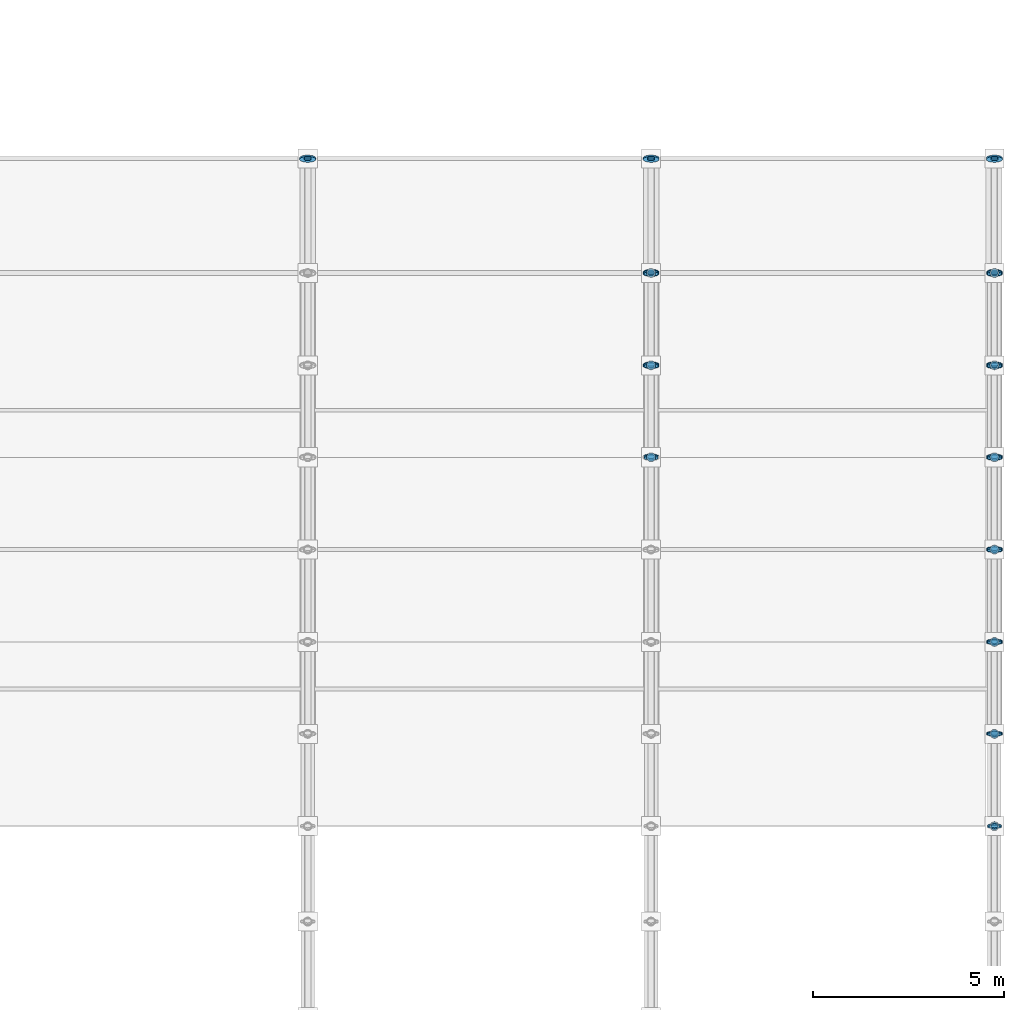
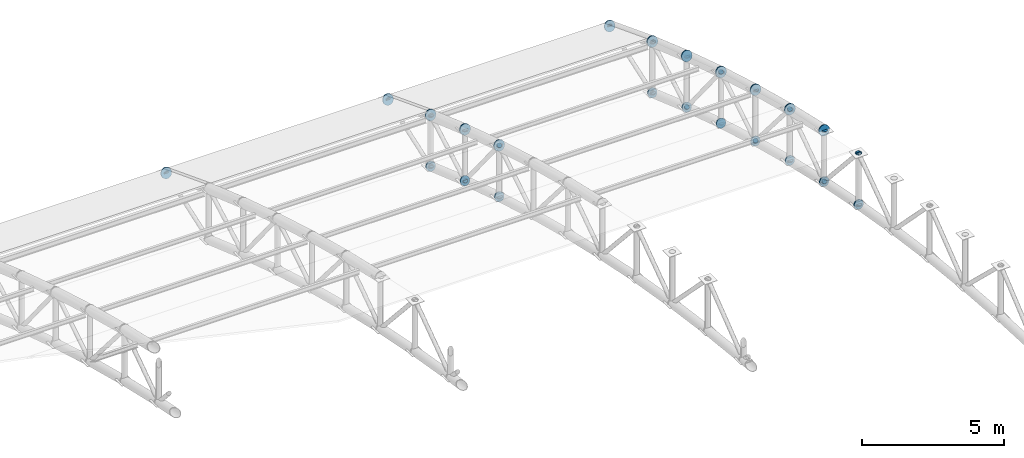
# One storey, part 165 of 195: 80 discrete accessories.
"""IFC4 building model written with IfcOpenShell, lengths in metres."""

import ifcopenshell
import ifcopenshell.guid

model = None  # the IFC model being written
_history = None  # IfcOwnerHistory: only IFC2X3 demands one
_inside = {}  # id of a spatial element -> (the spatial element, [elements in it])
_under = {}  # id of a project, library or spatial element -> (it, [spatial elements below it])
_declared = {}  # id of a project -> (the project, [libraries it declares])
_typed = {}  # id of a type object -> (the type object, [elements of that type])
_made_of = {}  # id of a material, layer set ... -> (it, [elements and type objects made of it])


def new_model(schema):
    """Start an empty IFC model of exactly this schema.

    Asked for "IFC4X3", IfcOpenShell would pick the latest addendum, in which some entities
    have other attributes; the version numbers below select the first issue.
    IFC2X3 requires an IfcOwnerHistory on every rooted entity: one is made here for all.
    """
    global model, _history
    if schema == "IFC4X3":
        model = ifcopenshell.file(schema_version=(4, 3, 0, 0))
    else:
        model = ifcopenshell.file(schema=schema)
    _inside.clear()
    _under.clear()
    _declared.clear()
    _typed.clear()
    _made_of.clear()
    _history = None
    if model.schema == "IFC2X3":
        org = make("IfcOrganization", Name="unknown")
        user = make(
            "IfcPersonAndOrganization",
            ThePerson=make("IfcPerson", FamilyName="unknown"),
            TheOrganization=org,
        )
        app = make(
            "IfcApplication",
            ApplicationDeveloper=org,
            Version="unknown",
            ApplicationFullName="unknown",
            ApplicationIdentifier="unknown",
        )
        _history = make(
            "IfcOwnerHistory",
            OwningUser=user,
            OwningApplication=app,
            ChangeAction="ADDED",
            CreationDate=0,
        )
    return model


def make(cls, **values):
    """One entity of the class cls with the attributes given. An attribute that is None is left unset."""
    return model.create_entity(
        cls, **{name: value for name, value in values.items() if value is not None}
    )


def rooted(cls, **values):
    """An entity with a GlobalId (a new one), such as an element, a storey or a relation."""
    return make(cls, GlobalId=ifcopenshell.guid.new(), OwnerHistory=_history, **values)


def si_unit(unit_type, name, prefix=None):
    """IfcSIUnit, for example si_unit("LENGTHUNIT", "METRE", prefix="MILLI")."""
    return make("IfcSIUnit", UnitType=unit_type, Prefix=prefix, Name=name)


def assignment(units):
    """IfcUnitAssignment: the units of a project."""
    return None if units is None else make("IfcUnitAssignment", Units=units)


def point(xyz):
    """IfcCartesianPoint."""
    return None if xyz is None else make("IfcCartesianPoint", Coordinates=xyz)


def direction(xyz):
    """IfcDirection."""
    return None if xyz is None else make("IfcDirection", DirectionRatios=xyz)


def frame(location, z_axis=None, x_axis=None):
    """IfcAxis2Placement3D, a coordinate frame: its origin and axes. An axis left out is left unset."""
    return make(
        "IfcAxis2Placement3D",
        Location=point(location),
        Axis=direction(z_axis),
        RefDirection=direction(x_axis),
    )


def frame_2d(location, x_axis=None):
    """IfcAxis2Placement2D, a coordinate frame in the plane: its origin and x axis."""
    return make(
        "IfcAxis2Placement2D", Location=point(location), RefDirection=direction(x_axis)
    )


def origin():
    """The frame at (0, 0, 0) with its axes left unset."""
    return frame((0.0, 0.0, 0.0))


def origin_2d():
    """The frame at (0, 0) in the plane with its x axis left unset."""
    return frame_2d((0.0, 0.0))


def place(relative_to, where):
    """IfcLocalPlacement: puts the frame where relative to a parent placement (None: the world)."""
    return make(
        "IfcLocalPlacement", PlacementRelTo=relative_to, RelativePlacement=where
    )


def context(
    kind, dimensions, precision=None, world=None, true_north=None, identifier=None
):
    """IfcGeometricRepresentationContext, for example the 3D "Model" context."""
    return make(
        "IfcGeometricRepresentationContext",
        ContextIdentifier=identifier,
        ContextType=kind,
        CoordinateSpaceDimension=dimensions,
        Precision=precision,
        WorldCoordinateSystem=world,
        TrueNorth=true_north,
    )


def subcontext(parent, identifier, kind, view, scale=None):
    """IfcGeometricRepresentationSubContext, for example "Body" below "Model"."""
    return make(
        "IfcGeometricRepresentationSubContext",
        ContextIdentifier=identifier,
        ContextType=kind,
        ParentContext=parent,
        TargetScale=scale,
        TargetView=view,
    )


def project(units=None, contexts=None):
    """IfcProject with its units and contexts."""
    return rooted(
        "IfcProject",
        Name="project",
        RepresentationContexts=contexts,
        UnitsInContext=assignment(units),
    )


def spatial(cls, under=None, at=None, **own):
    """A site, building, storey or space (cls), placed at a placement, below another one or the project."""
    s = rooted(cls, ObjectPlacement=at, **own)
    if under is not None:
        _under.setdefault(under.id(), (under, []))[1].append(s)
    return s


def profile(cls, at=None, kind="AREA", **sizes):
    """A parametric profile (cls). Its sizes go by their IFC names, for example OverallWidth=200.0."""
    return make(cls, ProfileType=kind, Position=at, **sizes)


def circle(**sizes):
    """IfcCircleProfileDef."""
    return profile("IfcCircleProfileDef", **sizes)


def extrude(swept, where, along, depth):
    """IfcExtrudedAreaSolid: the profile swept, set in the frame where, extruded along a direction by depth."""
    return make(
        "IfcExtrudedAreaSolid",
        SweptArea=swept,
        Position=where,
        ExtrudedDirection=direction(along),
        Depth=depth,
    )


def shape(context_of_items, identifier, shape_type, items):
    """IfcShapeRepresentation: the items that make up one representation, for example the "Body"."""
    return make(
        "IfcShapeRepresentation",
        ContextOfItems=context_of_items,
        RepresentationIdentifier=identifier,
        RepresentationType=shape_type,
        Items=items,
    )


def material(Name=None, Category=None):
    """IfcMaterial."""
    return make("IfcMaterial", Name=Name, Category=Category)


def made_of(thing, what):
    """Note that an element or type object is made of a material, layer set ...; save() writes the relation."""
    if what is not None:
        _made_of.setdefault(what.id(), (what, []))[1].append(thing)
    return thing


def element(
    cls,
    number,
    at=None,
    inside=None,
    cuts=None,
    type_object=None,
    material=None,
    context=None,
    identifier="Body",
    shape_type=None,
    held_by="IfcProductDefinitionShape",
    body=None,
    shapes=None,
    **own,
):
    """One element of the class cls, such as IfcWall. Its Tag is "e" and its number.

    at: its placement. inside: the storey or other place that contains it. cuts: it is an
    opening in that element (IfcRelVoidsElement). A single representation is given by context,
    identifier, shape_type and body (its items); several are given by shapes. held_by: the class
    of the entity that holds the representations. save() writes the other relations.
    """
    e = rooted(cls, Tag="e%d" % number, ObjectPlacement=at, **own)
    if body is not None:
        shapes = [shape(context, identifier, shape_type, body)]
    if shapes is not None:
        e.Representation = make(held_by, Representations=shapes)
    if inside is not None:
        _inside.setdefault(inside.id(), (inside, []))[1].append(e)
    if cuts is not None:
        rooted(
            "IfcRelVoidsElement", RelatingBuildingElement=cuts, RelatedOpeningElement=e
        )
    if type_object is not None:
        _typed.setdefault(type_object.id(), (type_object, []))[1].append(e)
    return made_of(e, material)


def aggregate(whole, parts):
    """IfcRelAggregates: a whole, such as a stair, and the parts it consists of."""
    return rooted("IfcRelAggregates", RelatingObject=whole, RelatedObjects=parts)


def save(model, path):
    """Write the relations noted so far, then the file.

    IfcRelAggregates (storeys below a building ...), IfcRelContainedInSpatialStructure (elements
    in a storey), IfcRelDefinesByType, IfcRelAssociatesMaterial and IfcRelDeclares: one each for
    every whole, place, type object, material and project.
    """
    for whole, parts in _under.values():
        aggregate(whole, parts)
    for where, things in _inside.values():
        rooted(
            "IfcRelContainedInSpatialStructure",
            RelatedElements=things,
            RelatingStructure=where,
        )
    for kind, things in _typed.values():
        rooted("IfcRelDefinesByType", RelatedObjects=things, RelatingType=kind)
    for what, things in _made_of.values():
        rooted("IfcRelAssociatesMaterial", RelatedObjects=things, RelatingMaterial=what)
    for by, libraries in _declared.values():
        rooted("IfcRelDeclares", RelatingContext=by, RelatedDefinitions=libraries)
    model.write(path)


model = new_model("IFC4")

# Units and contexts
model_context = context("Model", 3, precision=1e-05, world=origin(), true_north=direction((0.0, 1.0)))
body_context = subcontext(model_context, "Body", "Model", "MODEL_VIEW")
ifc_project = project(units=[si_unit("LENGTHUNIT", "METRE"), si_unit("AREAUNIT", "SQUARE_METRE"), si_unit("VOLUMEUNIT", "CUBIC_METRE"), si_unit("PLANEANGLEUNIT", "RADIAN"), si_unit("MASSUNIT", "GRAM", prefix="KILO")], contexts=[model_context])

# Site, building, storey
site_placement = place(None, origin())
site = spatial("IfcSite", under=ifc_project, at=site_placement, CompositionType="ELEMENT")
building_placement = place(site_placement, origin())
building = spatial("IfcBuilding", under=site, at=building_placement, Name="Marlcrest Central Station", CompositionType="ELEMENT")
storey_placement = place(building_placement, frame((0.0, 0.0, 9.800048828125)))
storey = spatial("IfcBuildingStorey", under=building, at=storey_placement, Name="L02", CompositionType="ELEMENT", Elevation=9.800048828125)

# Discrete accessories
ifc_material = material(Name="Steel S355", Category="steel")
discrete_accessory_1_placement = place(storey_placement, frame((198.0, 98.4765625, 0.454833984375), z_axis=(0.0, 0.933324071143, -0.359035065453), x_axis=(-1.0, 0.0, 0.0)))
element("IfcDiscreteAccessory", 1, at=discrete_accessory_1_placement, inside=storey, material=ifc_material, Name="endcap-mem-AC-01-L02-01884-e", ObjectType="END_CAP_PLATE", PredefinedType="BRACKET", context=body_context, shape_type="SweptSolid", body=[
    extrude(circle(Radius=0.211181640625, at=origin_2d()), origin(), (0.0, 0.0, 1.0), 0.0400390625),
])
discrete_accessory_2_placement = place(storey_placement, frame((198.0, 98.476318359375, 0.4375), z_axis=(0.0, 0.944260188635, 0.329200085296), x_axis=(-1.0, 0.0, 0.0)))
element("IfcDiscreteAccessory", 2, at=discrete_accessory_2_placement, inside=storey, material=ifc_material, Name="endcap-mem-AD-01-L02-01886-e", ObjectType="END_CAP_PLATE", PredefinedType="BRACKET", context=body_context, shape_type="SweptSolid", body=[
    extrude(circle(Radius=0.092041015625, at=origin_2d()), origin(), (0.0, 0.0, 1.0), 0.0400390625),
])
discrete_accessory_3_placement = place(storey_placement, frame((207.0, 90.64599609375, 1.030517578125), z_axis=(0.0, 0.960130083362, -0.27955361386), x_axis=(-1.0, 0.0, 0.0)))
element("IfcDiscreteAccessory", 3, at=discrete_accessory_3_placement, inside=storey, material=ifc_material, Name="endcap-mem-AC-02-L02-01989-e", ObjectType="END_CAP_PLATE", PredefinedType="BRACKET", context=body_context, shape_type="SweptSolid", body=[
    extrude(circle(Radius=0.185791015625, at=origin_2d()), origin(), (0.0, 0.0, 1.0), 0.0400390625),
])
discrete_accessory_4_placement = place(storey_placement, frame((207.0, 90.648681640625, 3.210205078125), z_axis=(0.0, 0.850687380038, 0.525671933286), x_axis=(-1.0, 0.0, 0.0)))
element("IfcDiscreteAccessory", 4, at=discrete_accessory_4_placement, inside=storey, material=ifc_material, Name="endcap-mem-AD-01-L02-01991-e", ObjectType="END_CAP_PLATE", PredefinedType="BRACKET", context=body_context, shape_type="SweptSolid", body=[
    extrude(circle(Radius=0.092041015625, at=origin_2d()), origin(), (0.0, 0.0, 1.0), 0.0400390625),
])
for number, where, z_axis, x_axis, name in (
    (5, (207.0, 90.65576171875, 3.22802734375), (0.0, 0.952116828449, -0.305734435391), (-1.0, 0.0, 0.0), "endcap-mem-AC-01-L02-01992-s"),
    (6, (207.0, 93.056396484375, 2.45703125), (0.0, 0.952116828449, -0.305734435391), (-1.0, 0.0, 0.0), "endcap-mem-AC-01-L02-01992-e"),
):
    element("IfcDiscreteAccessory", number, at=place(storey_placement, frame(where, z_axis=z_axis, x_axis=x_axis)), inside=storey, material=ifc_material, Name=name, ObjectType="END_CAP_PLATE", PredefinedType="BRACKET", context=body_context, shape_type="SweptSolid", body=[
        extrude(circle(Radius=0.211181640625, at=origin_2d()), origin(), (0.0, 0.0, 1.0), 0.0400390625),
    ])
for number, where, z_axis, x_axis, name in (
    (7, (207.0, 90.65576171875, 1.028076171875), (0.0, 0.952116828449, -0.305734435391), (-1.0, 0.0, 0.0), "endcap-mem-AC-02-L02-01993-s"),
    (8, (207.0, 93.056396484375, 0.257080078125), (0.0, 0.952116828449, -0.305734435391), (-1.0, 0.0, 0.0), "endcap-mem-AC-02-L02-01993-e"),
):
    element("IfcDiscreteAccessory", number, at=place(storey_placement, frame(where, z_axis=z_axis, x_axis=x_axis)), inside=storey, material=ifc_material, Name=name, ObjectType="END_CAP_PLATE", PredefinedType="BRACKET", context=body_context, shape_type="SweptSolid", body=[
        extrude(circle(Radius=0.185791015625, at=origin_2d()), origin(), (0.0, 0.0, 1.0), 0.0400390625),
    ])
for number, where, z_axis, x_axis, name in (
    (9, (207.0, 90.669921875, 1.008544921875), (0.0, 0.0, 1.0), (1.0, 0.0, 0.0), "endcap-mem-AP-01-L02-01994-s"),
    (10, (207.0, 90.669921875, 3.198486328125), (0.0, 0.0, 1.0), (1.0, 0.0, 0.0), "endcap-mem-AP-01-L02-01994-e"),
):
    element("IfcDiscreteAccessory", number, at=place(storey_placement, frame(where, z_axis=z_axis, x_axis=x_axis)), inside=storey, material=ifc_material, Name=name, ObjectType="END_CAP_PLATE", PredefinedType="BRACKET", context=body_context, shape_type="SweptSolid", body=[
        extrude(circle(Radius=0.117431640625, at=origin_2d()), origin(), (0.0, 0.0, 1.0), 0.0400390625),
    ])
for number, where, z_axis, x_axis, name in (
    (11, (207.0, 90.660400390625, 3.235107421875), (0.0, 0.62962929743, -0.776895712318), (-1.0, 0.0, 0.0), "endcap-mem-AD-01-L02-01995-s"),
    (12, (207.0, 93.064453125, 0.26904296875), (0.0, 0.62962929743, -0.776895712318), (-1.0, 0.0, 0.0), "endcap-mem-AD-01-L02-01995-e"),
):
    element("IfcDiscreteAccessory", number, at=place(storey_placement, frame(where, z_axis=z_axis, x_axis=x_axis)), inside=storey, material=ifc_material, Name=name, ObjectType="END_CAP_PLATE", PredefinedType="BRACKET", context=body_context, shape_type="SweptSolid", body=[
        extrude(circle(Radius=0.092041015625, at=origin_2d()), origin(), (0.0, 0.0, 1.0), 0.0400390625),
    ])
for number, where, z_axis, x_axis, name in (
    (13, (207.0, 93.06591796875, 2.454345703125), (0.0, 0.94353735649, -0.331266142109), (-1.0, 0.0, 0.0), "endcap-mem-AC-01-L02-01996-s"),
    (14, (207.0, 95.476318359375, 1.608154296875), (0.0, 0.94353735649, -0.331266142109), (-1.0, 0.0, 0.0), "endcap-mem-AC-01-L02-01996-e"),
):
    element("IfcDiscreteAccessory", number, at=place(storey_placement, frame(where, z_axis=z_axis, x_axis=x_axis)), inside=storey, material=ifc_material, Name=name, ObjectType="END_CAP_PLATE", PredefinedType="BRACKET", context=body_context, shape_type="SweptSolid", body=[
        extrude(circle(Radius=0.211181640625, at=origin_2d()), origin(), (0.0, 0.0, 1.0), 0.0400390625),
    ])
for number, where, z_axis, x_axis, name in (
    (15, (207.0, 93.06591796875, 0.25439453125), (0.0, 0.94353735649, -0.331266142109), (-1.0, 0.0, 0.0), "endcap-mem-AC-02-L02-01997-s"),
    (16, (207.0, 95.476318359375, -0.591796875), (0.0, 0.94353735649, -0.331266142109), (-1.0, 0.0, 0.0), "endcap-mem-AC-02-L02-01997-e"),
):
    element("IfcDiscreteAccessory", number, at=place(storey_placement, frame(where, z_axis=z_axis, x_axis=x_axis)), inside=storey, material=ifc_material, Name=name, ObjectType="END_CAP_PLATE", PredefinedType="BRACKET", context=body_context, shape_type="SweptSolid", body=[
        extrude(circle(Radius=0.185791015625, at=origin_2d()), origin(), (0.0, 0.0, 1.0), 0.0400390625),
    ])
for number, where, z_axis, x_axis, name in (
    (17, (207.0, 93.080078125, 0.234619140625), (0.0, 0.0, 1.0), (1.0, 0.0, 0.0), "endcap-mem-AP-01-L02-01998-s"),
    (18, (207.0, 93.080078125, 2.424560546875), (0.0, 0.0, 1.0), (1.0, 0.0, 0.0), "endcap-mem-AP-01-L02-01998-e"),
):
    element("IfcDiscreteAccessory", number, at=place(storey_placement, frame(where, z_axis=z_axis, x_axis=x_axis)), inside=storey, material=ifc_material, Name=name, ObjectType="END_CAP_PLATE", PredefinedType="BRACKET", context=body_context, shape_type="SweptSolid", body=[
        extrude(circle(Radius=0.117431640625, at=origin_2d()), origin(), (0.0, 0.0, 1.0), 0.0400390625),
    ])
for number, where, z_axis, x_axis, name in (
    (19, (207.0, 93.06689453125, 0.2421875), (0.0, 0.873245653167, 0.487280236851), (-1.0, 0.0, 0.0), "endcap-mem-AD-01-L02-01999-s"),
    (20, (207.0, 95.478271484375, 1.587646484375), (0.0, 0.873245653167, 0.487280236851), (-1.0, 0.0, 0.0), "endcap-mem-AD-01-L02-01999-e"),
):
    element("IfcDiscreteAccessory", number, at=place(storey_placement, frame(where, z_axis=z_axis, x_axis=x_axis)), inside=storey, material=ifc_material, Name=name, ObjectType="END_CAP_PLATE", PredefinedType="BRACKET", context=body_context, shape_type="SweptSolid", body=[
        extrude(circle(Radius=0.092041015625, at=origin_2d()), origin(), (0.0, 0.0, 1.0), 0.0400390625),
    ])
for number, where, z_axis, x_axis, name in (
    (21, (207.0, 95.486083984375, 1.605224609375), (0.0, 0.933324071143, -0.359035065453), (-1.0, 0.0, 0.0), "endcap-mem-AC-01-L02-02000-s"),
    (22, (207.0, 98.4765625, 0.454833984375), (0.0, 0.933324071143, -0.359035065453), (-1.0, 0.0, 0.0), "endcap-mem-AC-01-L02-02000-e"),
):
    element("IfcDiscreteAccessory", number, at=place(storey_placement, frame(where, z_axis=z_axis, x_axis=x_axis)), inside=storey, material=ifc_material, Name=name, ObjectType="END_CAP_PLATE", PredefinedType="BRACKET", context=body_context, shape_type="SweptSolid", body=[
        extrude(circle(Radius=0.211181640625, at=origin_2d()), origin(), (0.0, 0.0, 1.0), 0.0400390625),
    ])
for number, where, z_axis, x_axis, name in (
    (23, (207.0, 95.5, -0.614990234375), (0.0, 0.0, 1.0), (1.0, 0.0, 0.0), "endcap-mem-AP-01-L02-02001-s"),
    (24, (207.0, 95.5, 1.574951171875), (0.0, 0.0, 1.0), (1.0, 0.0, 0.0), "endcap-mem-AP-01-L02-02001-e"),
):
    element("IfcDiscreteAccessory", number, at=place(storey_placement, frame(where, z_axis=z_axis, x_axis=x_axis)), inside=storey, material=ifc_material, Name=name, ObjectType="END_CAP_PLATE", PredefinedType="BRACKET", context=body_context, shape_type="SweptSolid", body=[
        extrude(circle(Radius=0.117431640625, at=origin_2d()), origin(), (0.0, 0.0, 1.0), 0.0400390625),
    ])
for number, where, z_axis, x_axis, name in (
    (25, (207.0, 95.48583984375, -0.60498046875), (0.0, 0.944260188635, 0.329200085296), (-1.0, 0.0, 0.0), "endcap-mem-AD-01-L02-02002-s"),
    (26, (207.0, 98.476318359375, 0.4375), (0.0, 0.944260188635, 0.329200085296), (-1.0, 0.0, 0.0), "endcap-mem-AD-01-L02-02002-e"),
):
    element("IfcDiscreteAccessory", number, at=place(storey_placement, frame(where, z_axis=z_axis, x_axis=x_axis)), inside=storey, material=ifc_material, Name=name, ObjectType="END_CAP_PLATE", PredefinedType="BRACKET", context=body_context, shape_type="SweptSolid", body=[
        extrude(circle(Radius=0.092041015625, at=origin_2d()), origin(), (0.0, 0.0, 1.0), 0.0400390625),
    ])
discrete_accessory_5_placement = place(storey_placement, frame((216.0, 80.975341796875, 3.407958984375), z_axis=(0.0, 0.98574109921, -0.168269086076), x_axis=(-1.0, 0.0, 0.0)))
element("IfcDiscreteAccessory", 27, at=discrete_accessory_5_placement, inside=storey, material=ifc_material, Name="endcap-mem-AC-02-L02-02089-e", ObjectType="END_CAP_PLATE", PredefinedType="BRACKET", context=body_context, shape_type="SweptSolid", body=[
    extrude(circle(Radius=0.185791015625, at=origin_2d()), origin(), (0.0, 0.0, 1.0), 0.0400390625),
])
discrete_accessory_6_placement = place(storey_placement, frame((216.0, 80.9794921875, 5.58935546875), z_axis=(0.0, 0.815661132754, 0.57852996164), x_axis=(-1.0, 0.0, 0.0)))
element("IfcDiscreteAccessory", 28, at=discrete_accessory_6_placement, inside=storey, material=ifc_material, Name="endcap-mem-AD-01-L02-02091-e", ObjectType="END_CAP_PLATE", PredefinedType="BRACKET", context=body_context, shape_type="SweptSolid", body=[
    extrude(circle(Radius=0.092041015625, at=origin_2d()), origin(), (0.0, 0.0, 1.0), 0.0400390625),
])
for number, where, z_axis, x_axis, name in (
    (29, (216.0, 80.9853515625, 3.40673828125), (0.0, 0.980359417961, -0.197219196874), (-1.0, 0.0, 0.0), "endcap-mem-AC-02-L02-02093-s"),
    (30, (216.0, 83.3955078125, 2.921875), (0.0, 0.980359417961, -0.197219196874), (-1.0, 0.0, 0.0), "endcap-mem-AC-02-L02-02093-e"),
):
    element("IfcDiscreteAccessory", number, at=place(storey_placement, frame(where, z_axis=z_axis, x_axis=x_axis)), inside=storey, material=ifc_material, Name=name, ObjectType="END_CAP_PLATE", PredefinedType="BRACKET", context=body_context, shape_type="SweptSolid", body=[
        extrude(circle(Radius=0.185791015625, at=origin_2d()), origin(), (0.0, 0.0, 1.0), 0.0400390625),
    ])
for number, where, z_axis, x_axis, name in (
    (31, (216.0, 81.0, 3.388916015625), (0.0, 0.0, 1.0), (1.0, 0.0, 0.0), "endcap-mem-AP-01-L02-02094-s"),
    (32, (216.0, 81.0, 5.578857421875), (0.0, 0.0, 1.0), (1.0, 0.0, 0.0), "endcap-mem-AP-01-L02-02094-e"),
):
    element("IfcDiscreteAccessory", number, at=place(storey_placement, frame(where, z_axis=z_axis, x_axis=x_axis)), inside=storey, material=ifc_material, Name=name, ObjectType="END_CAP_PLATE", PredefinedType="BRACKET", context=body_context, shape_type="SweptSolid", body=[
        extrude(circle(Radius=0.117431640625, at=origin_2d()), origin(), (0.0, 0.0, 1.0), 0.0400390625),
    ])
for number, where, z_axis, x_axis, name in (
    (33, (216.0, 80.989990234375, 5.614990234375), (0.0, 0.669244457479, -0.743042297675), (-1.0, 0.0, 0.0), "endcap-mem-AD-01-L02-02095-s"),
    (34, (216.0, 83.403076171875, 2.935546875), (0.0, 0.669244457479, -0.743042297675), (-1.0, 0.0, 0.0), "endcap-mem-AD-01-L02-02095-e"),
):
    element("IfcDiscreteAccessory", number, at=place(storey_placement, frame(where, z_axis=z_axis, x_axis=x_axis)), inside=storey, material=ifc_material, Name=name, ObjectType="END_CAP_PLATE", PredefinedType="BRACKET", context=body_context, shape_type="SweptSolid", body=[
        extrude(circle(Radius=0.092041015625, at=origin_2d()), origin(), (0.0, 0.0, 1.0), 0.0400390625),
    ])
for number, where, z_axis, x_axis, name in (
    (35, (216.0, 83.4052734375, 5.120361328125), (0.0, 0.974329612642, -0.225126200004), (-1.0, 0.0, 0.0), "endcap-mem-AC-01-L02-02096-s"),
    (36, (216.0, 85.8056640625, 4.565673828125), (0.0, 0.974329612642, -0.225126200004), (-1.0, 0.0, 0.0), "endcap-mem-AC-01-L02-02096-e"),
):
    element("IfcDiscreteAccessory", number, at=place(storey_placement, frame(where, z_axis=z_axis, x_axis=x_axis)), inside=storey, material=ifc_material, Name=name, ObjectType="END_CAP_PLATE", PredefinedType="BRACKET", context=body_context, shape_type="SweptSolid", body=[
        extrude(circle(Radius=0.211181640625, at=origin_2d()), origin(), (0.0, 0.0, 1.0), 0.0400390625),
    ])
for number, where, z_axis, x_axis, name in (
    (37, (216.0, 83.4052734375, 2.92041015625), (0.0, 0.974307959875, -0.225219891049), (-1.0, 0.0, 0.0), "endcap-mem-AC-02-L02-02097-s"),
    (38, (216.0, 85.8056640625, 2.365478515625), (0.0, 0.974307959875, -0.225219891049), (-1.0, 0.0, 0.0), "endcap-mem-AC-02-L02-02097-e"),
):
    element("IfcDiscreteAccessory", number, at=place(storey_placement, frame(where, z_axis=z_axis, x_axis=x_axis)), inside=storey, material=ifc_material, Name=name, ObjectType="END_CAP_PLATE", PredefinedType="BRACKET", context=body_context, shape_type="SweptSolid", body=[
        extrude(circle(Radius=0.185791015625, at=origin_2d()), origin(), (0.0, 0.0, 1.0), 0.0400390625),
    ])
for number, where, z_axis, x_axis, name in (
    (39, (216.0, 83.419921875, 2.902099609375), (0.0, 0.0, 1.0), (1.0, 0.0, 0.0), "endcap-mem-AP-01-L02-02098-s"),
    (40, (216.0, 83.419921875, 5.092041015625), (0.0, 0.0, 1.0), (1.0, 0.0, 0.0), "endcap-mem-AP-01-L02-02098-e"),
):
    element("IfcDiscreteAccessory", number, at=place(storey_placement, frame(where, z_axis=z_axis, x_axis=x_axis)), inside=storey, material=ifc_material, Name=name, ObjectType="END_CAP_PLATE", PredefinedType="BRACKET", context=body_context, shape_type="SweptSolid", body=[
        extrude(circle(Radius=0.117431640625, at=origin_2d()), origin(), (0.0, 0.0, 1.0), 0.0400390625),
    ])
for number, where, z_axis, x_axis, name in (
    (41, (216.0, 83.407470703125, 2.908447265625), (0.0, 0.82626275624, 0.563284881432), (-1.0, 0.0, 0.0), "endcap-mem-AD-01-L02-02099-s"),
    (42, (216.0, 85.809326171875, 4.5458984375), (0.0, 0.82626275624, 0.563284881432), (-1.0, 0.0, 0.0), "endcap-mem-AD-01-L02-02099-e"),
):
    element("IfcDiscreteAccessory", number, at=place(storey_placement, frame(where, z_axis=z_axis, x_axis=x_axis)), inside=storey, material=ifc_material, Name=name, ObjectType="END_CAP_PLATE", PredefinedType="BRACKET", context=body_context, shape_type="SweptSolid", body=[
        extrude(circle(Radius=0.092041015625, at=origin_2d()), origin(), (0.0, 0.0, 1.0), 0.0400390625),
    ])
for number, where, z_axis, x_axis, name in (
    (43, (216.0, 85.815673828125, 4.56396484375), (0.0, 0.967539481681, -0.252719906989), (-1.0, 0.0, 0.0), "endcap-mem-AC-01-L02-02100-s"),
    (44, (216.0, 88.225830078125, 3.934326171875), (0.0, 0.967539481681, -0.252719906989), (-1.0, 0.0, 0.0), "endcap-mem-AC-01-L02-02100-e"),
):
    element("IfcDiscreteAccessory", number, at=place(storey_placement, frame(where, z_axis=z_axis, x_axis=x_axis)), inside=storey, material=ifc_material, Name=name, ObjectType="END_CAP_PLATE", PredefinedType="BRACKET", context=body_context, shape_type="SweptSolid", body=[
        extrude(circle(Radius=0.211181640625, at=origin_2d()), origin(), (0.0, 0.0, 1.0), 0.0400390625),
    ])
for number, where, z_axis, x_axis, name in (
    (45, (216.0, 85.815673828125, 2.36376953125), (0.0, 0.967563345928, -0.252628524946), (-1.0, 0.0, 0.0), "endcap-mem-AC-02-L02-02101-s"),
    (46, (216.0, 88.225830078125, 1.734375), (0.0, 0.967563345928, -0.252628524946), (-1.0, 0.0, 0.0), "endcap-mem-AC-02-L02-02101-e"),
):
    element("IfcDiscreteAccessory", number, at=place(storey_placement, frame(where, z_axis=z_axis, x_axis=x_axis)), inside=storey, material=ifc_material, Name=name, ObjectType="END_CAP_PLATE", PredefinedType="BRACKET", context=body_context, shape_type="SweptSolid", body=[
        extrude(circle(Radius=0.185791015625, at=origin_2d()), origin(), (0.0, 0.0, 1.0), 0.0400390625),
    ])
for number, where, z_axis, x_axis, name in (
    (47, (216.0, 85.830078125, 2.344970703125), (0.0, 0.0, 1.0), (1.0, 0.0, 0.0), "endcap-mem-AP-01-L02-02102-s"),
    (48, (216.0, 85.830078125, 4.53515625), (0.0, 0.0, 1.0), (1.0, 0.0, 0.0), "endcap-mem-AP-01-L02-02102-e"),
):
    element("IfcDiscreteAccessory", number, at=place(storey_placement, frame(where, z_axis=z_axis, x_axis=x_axis)), inside=storey, material=ifc_material, Name=name, ObjectType="END_CAP_PLATE", PredefinedType="BRACKET", context=body_context, shape_type="SweptSolid", body=[
        extrude(circle(Radius=0.117431640625, at=origin_2d()), origin(), (0.0, 0.0, 1.0), 0.0400390625),
    ])
for number, where, z_axis, x_axis, name in (
    (49, (216.0, 85.8203125, 4.571533203125), (0.0, 0.649624779144, -0.760254987699), (-1.0, 0.0, 0.0), "endcap-mem-AD-01-L02-02103-s"),
    (50, (216.0, 88.233642578125, 1.7470703125), (0.0, 0.649624779144, -0.760254987699), (-1.0, 0.0, 0.0), "endcap-mem-AD-01-L02-02103-e"),
):
    element("IfcDiscreteAccessory", number, at=place(storey_placement, frame(where, z_axis=z_axis, x_axis=x_axis)), inside=storey, material=ifc_material, Name=name, ObjectType="END_CAP_PLATE", PredefinedType="BRACKET", context=body_context, shape_type="SweptSolid", body=[
        extrude(circle(Radius=0.092041015625, at=origin_2d()), origin(), (0.0, 0.0, 1.0), 0.0400390625),
    ])
for number, where, z_axis, x_axis, name in (
    (51, (216.0, 88.235595703125, 3.93212890625), (0.0, 0.960130083362, -0.27955361386), (-1.0, 0.0, 0.0), "endcap-mem-AC-01-L02-02104-s"),
    (52, (216.0, 90.64599609375, 3.23046875), (0.0, 0.960130083362, -0.27955361386), (-1.0, 0.0, 0.0), "endcap-mem-AC-01-L02-02104-e"),
):
    element("IfcDiscreteAccessory", number, at=place(storey_placement, frame(where, z_axis=z_axis, x_axis=x_axis)), inside=storey, material=ifc_material, Name=name, ObjectType="END_CAP_PLATE", PredefinedType="BRACKET", context=body_context, shape_type="SweptSolid", body=[
        extrude(circle(Radius=0.211181640625, at=origin_2d()), origin(), (0.0, 0.0, 1.0), 0.0400390625),
    ])
for number, where, z_axis, x_axis, name in (
    (53, (216.0, 88.235595703125, 1.732177734375), (0.0, 0.960130083362, -0.27955361386), (-1.0, 0.0, 0.0), "endcap-mem-AC-02-L02-02105-s"),
    (54, (216.0, 90.64599609375, 1.030517578125), (0.0, 0.960130083362, -0.27955361386), (-1.0, 0.0, 0.0), "endcap-mem-AC-02-L02-02105-e"),
):
    element("IfcDiscreteAccessory", number, at=place(storey_placement, frame(where, z_axis=z_axis, x_axis=x_axis)), inside=storey, material=ifc_material, Name=name, ObjectType="END_CAP_PLATE", PredefinedType="BRACKET", context=body_context, shape_type="SweptSolid", body=[
        extrude(circle(Radius=0.185791015625, at=origin_2d()), origin(), (0.0, 0.0, 1.0), 0.0400390625),
    ])
for number, where, z_axis, x_axis, name in (
    (55, (216.0, 88.25, 1.713134765625), (0.0, 0.0, 1.0), (1.0, 0.0, 0.0), "endcap-mem-AP-01-L02-02106-s"),
    (56, (216.0, 88.25, 3.903076171875), (0.0, 0.0, 1.0), (1.0, 0.0, 0.0), "endcap-mem-AP-01-L02-02106-e"),
):
    element("IfcDiscreteAccessory", number, at=place(storey_placement, frame(where, z_axis=z_axis, x_axis=x_axis)), inside=storey, material=ifc_material, Name=name, ObjectType="END_CAP_PLATE", PredefinedType="BRACKET", context=body_context, shape_type="SweptSolid", body=[
        extrude(circle(Radius=0.117431640625, at=origin_2d()), origin(), (0.0, 0.0, 1.0), 0.0400390625),
    ])
for number, where, z_axis, x_axis, name in (
    (57, (216.0, 88.2373046875, 1.72021484375), (0.0, 0.850687380038, 0.525671933286), (-1.0, 0.0, 0.0), "endcap-mem-AD-01-L02-02107-s"),
    (58, (216.0, 90.648681640625, 3.210205078125), (0.0, 0.850687380038, 0.525671933286), (-1.0, 0.0, 0.0), "endcap-mem-AD-01-L02-02107-e"),
):
    element("IfcDiscreteAccessory", number, at=place(storey_placement, frame(where, z_axis=z_axis, x_axis=x_axis)), inside=storey, material=ifc_material, Name=name, ObjectType="END_CAP_PLATE", PredefinedType="BRACKET", context=body_context, shape_type="SweptSolid", body=[
        extrude(circle(Radius=0.092041015625, at=origin_2d()), origin(), (0.0, 0.0, 1.0), 0.0400390625),
    ])
for number, where, z_axis, x_axis, name in (
    (59, (216.0, 90.65576171875, 3.22802734375), (0.0, 0.952116828449, -0.305734435391), (-1.0, 0.0, 0.0), "endcap-mem-AC-01-L02-02108-s"),
    (60, (216.0, 93.056396484375, 2.45703125), (0.0, 0.952116828449, -0.305734435391), (-1.0, 0.0, 0.0), "endcap-mem-AC-01-L02-02108-e"),
):
    element("IfcDiscreteAccessory", number, at=place(storey_placement, frame(where, z_axis=z_axis, x_axis=x_axis)), inside=storey, material=ifc_material, Name=name, ObjectType="END_CAP_PLATE", PredefinedType="BRACKET", context=body_context, shape_type="SweptSolid", body=[
        extrude(circle(Radius=0.211181640625, at=origin_2d()), origin(), (0.0, 0.0, 1.0), 0.0400390625),
    ])
for number, where, z_axis, x_axis, name in (
    (61, (216.0, 90.65576171875, 1.028076171875), (0.0, 0.952116828449, -0.305734435391), (-1.0, 0.0, 0.0), "endcap-mem-AC-02-L02-02109-s"),
    (62, (216.0, 93.056396484375, 0.257080078125), (0.0, 0.952116828449, -0.305734435391), (-1.0, 0.0, 0.0), "endcap-mem-AC-02-L02-02109-e"),
):
    element("IfcDiscreteAccessory", number, at=place(storey_placement, frame(where, z_axis=z_axis, x_axis=x_axis)), inside=storey, material=ifc_material, Name=name, ObjectType="END_CAP_PLATE", PredefinedType="BRACKET", context=body_context, shape_type="SweptSolid", body=[
        extrude(circle(Radius=0.185791015625, at=origin_2d()), origin(), (0.0, 0.0, 1.0), 0.0400390625),
    ])
for number, where, z_axis, x_axis, name in (
    (63, (216.0, 90.669921875, 1.008544921875), (0.0, 0.0, 1.0), (1.0, 0.0, 0.0), "endcap-mem-AP-01-L02-02110-s"),
    (64, (216.0, 90.669921875, 3.198486328125), (0.0, 0.0, 1.0), (1.0, 0.0, 0.0), "endcap-mem-AP-01-L02-02110-e"),
):
    element("IfcDiscreteAccessory", number, at=place(storey_placement, frame(where, z_axis=z_axis, x_axis=x_axis)), inside=storey, material=ifc_material, Name=name, ObjectType="END_CAP_PLATE", PredefinedType="BRACKET", context=body_context, shape_type="SweptSolid", body=[
        extrude(circle(Radius=0.117431640625, at=origin_2d()), origin(), (0.0, 0.0, 1.0), 0.0400390625),
    ])
for number, where, z_axis, x_axis, name in (
    (65, (216.0, 90.660400390625, 3.235107421875), (0.0, 0.62962929743, -0.776895712318), (-1.0, 0.0, 0.0), "endcap-mem-AD-01-L02-02111-s"),
    (66, (216.0, 93.064453125, 0.26904296875), (0.0, 0.62962929743, -0.776895712318), (-1.0, 0.0, 0.0), "endcap-mem-AD-01-L02-02111-e"),
):
    element("IfcDiscreteAccessory", number, at=place(storey_placement, frame(where, z_axis=z_axis, x_axis=x_axis)), inside=storey, material=ifc_material, Name=name, ObjectType="END_CAP_PLATE", PredefinedType="BRACKET", context=body_context, shape_type="SweptSolid", body=[
        extrude(circle(Radius=0.092041015625, at=origin_2d()), origin(), (0.0, 0.0, 1.0), 0.0400390625),
    ])
for number, where, z_axis, x_axis, name in (
    (67, (216.0, 93.06591796875, 2.454345703125), (0.0, 0.94353735649, -0.331266142109), (-1.0, 0.0, 0.0), "endcap-mem-AC-01-L02-02112-s"),
    (68, (216.0, 95.476318359375, 1.608154296875), (0.0, 0.94353735649, -0.331266142109), (-1.0, 0.0, 0.0), "endcap-mem-AC-01-L02-02112-e"),
):
    element("IfcDiscreteAccessory", number, at=place(storey_placement, frame(where, z_axis=z_axis, x_axis=x_axis)), inside=storey, material=ifc_material, Name=name, ObjectType="END_CAP_PLATE", PredefinedType="BRACKET", context=body_context, shape_type="SweptSolid", body=[
        extrude(circle(Radius=0.211181640625, at=origin_2d()), origin(), (0.0, 0.0, 1.0), 0.0400390625),
    ])
for number, where, z_axis, x_axis, name in (
    (69, (216.0, 93.06591796875, 0.25439453125), (0.0, 0.94353735649, -0.331266142109), (-1.0, 0.0, 0.0), "endcap-mem-AC-02-L02-02113-s"),
    (70, (216.0, 95.476318359375, -0.591796875), (0.0, 0.94353735649, -0.331266142109), (-1.0, 0.0, 0.0), "endcap-mem-AC-02-L02-02113-e"),
):
    element("IfcDiscreteAccessory", number, at=place(storey_placement, frame(where, z_axis=z_axis, x_axis=x_axis)), inside=storey, material=ifc_material, Name=name, ObjectType="END_CAP_PLATE", PredefinedType="BRACKET", context=body_context, shape_type="SweptSolid", body=[
        extrude(circle(Radius=0.185791015625, at=origin_2d()), origin(), (0.0, 0.0, 1.0), 0.0400390625),
    ])
for number, where, z_axis, x_axis, name in (
    (71, (216.0, 93.080078125, 0.234619140625), (0.0, 0.0, 1.0), (1.0, 0.0, 0.0), "endcap-mem-AP-01-L02-02114-s"),
    (72, (216.0, 93.080078125, 2.424560546875), (0.0, 0.0, 1.0), (1.0, 0.0, 0.0), "endcap-mem-AP-01-L02-02114-e"),
):
    element("IfcDiscreteAccessory", number, at=place(storey_placement, frame(where, z_axis=z_axis, x_axis=x_axis)), inside=storey, material=ifc_material, Name=name, ObjectType="END_CAP_PLATE", PredefinedType="BRACKET", context=body_context, shape_type="SweptSolid", body=[
        extrude(circle(Radius=0.117431640625, at=origin_2d()), origin(), (0.0, 0.0, 1.0), 0.0400390625),
    ])
for number, where, z_axis, x_axis, name in (
    (73, (216.0, 93.06689453125, 0.2421875), (0.0, 0.873245653167, 0.487280236851), (-1.0, 0.0, 0.0), "endcap-mem-AD-01-L02-02115-s"),
    (74, (216.0, 95.478271484375, 1.587646484375), (0.0, 0.873245653167, 0.487280236851), (-1.0, 0.0, 0.0), "endcap-mem-AD-01-L02-02115-e"),
):
    element("IfcDiscreteAccessory", number, at=place(storey_placement, frame(where, z_axis=z_axis, x_axis=x_axis)), inside=storey, material=ifc_material, Name=name, ObjectType="END_CAP_PLATE", PredefinedType="BRACKET", context=body_context, shape_type="SweptSolid", body=[
        extrude(circle(Radius=0.092041015625, at=origin_2d()), origin(), (0.0, 0.0, 1.0), 0.0400390625),
    ])
for number, where, z_axis, x_axis, name in (
    (75, (216.0, 95.486083984375, 1.605224609375), (0.0, 0.933324071143, -0.359035065453), (-1.0, 0.0, 0.0), "endcap-mem-AC-01-L02-02116-s"),
    (76, (216.0, 98.4765625, 0.454833984375), (0.0, 0.933324071143, -0.359035065453), (-1.0, 0.0, 0.0), "endcap-mem-AC-01-L02-02116-e"),
):
    element("IfcDiscreteAccessory", number, at=place(storey_placement, frame(where, z_axis=z_axis, x_axis=x_axis)), inside=storey, material=ifc_material, Name=name, ObjectType="END_CAP_PLATE", PredefinedType="BRACKET", context=body_context, shape_type="SweptSolid", body=[
        extrude(circle(Radius=0.211181640625, at=origin_2d()), origin(), (0.0, 0.0, 1.0), 0.0400390625),
    ])
for number, where, z_axis, x_axis, name in (
    (77, (216.0, 95.5, -0.614990234375), (0.0, 0.0, 1.0), (1.0, 0.0, 0.0), "endcap-mem-AP-01-L02-02117-s"),
    (78, (216.0, 95.5, 1.574951171875), (0.0, 0.0, 1.0), (1.0, 0.0, 0.0), "endcap-mem-AP-01-L02-02117-e"),
):
    element("IfcDiscreteAccessory", number, at=place(storey_placement, frame(where, z_axis=z_axis, x_axis=x_axis)), inside=storey, material=ifc_material, Name=name, ObjectType="END_CAP_PLATE", PredefinedType="BRACKET", context=body_context, shape_type="SweptSolid", body=[
        extrude(circle(Radius=0.117431640625, at=origin_2d()), origin(), (0.0, 0.0, 1.0), 0.0400390625),
    ])
for number, where, z_axis, x_axis, name in (
    (79, (216.0, 95.48583984375, -0.60498046875), (0.0, 0.944260188635, 0.329200085296), (-1.0, 0.0, 0.0), "endcap-mem-AD-01-L02-02118-s"),
    (80, (216.0, 98.476318359375, 0.4375), (0.0, 0.944260188635, 0.329200085296), (-1.0, 0.0, 0.0), "endcap-mem-AD-01-L02-02118-e"),
):
    element("IfcDiscreteAccessory", number, at=place(storey_placement, frame(where, z_axis=z_axis, x_axis=x_axis)), inside=storey, material=ifc_material, Name=name, ObjectType="END_CAP_PLATE", PredefinedType="BRACKET", context=body_context, shape_type="SweptSolid", body=[
        extrude(circle(Radius=0.092041015625, at=origin_2d()), origin(), (0.0, 0.0, 1.0), 0.0400390625),
    ])

save(model, "model.ifc")
